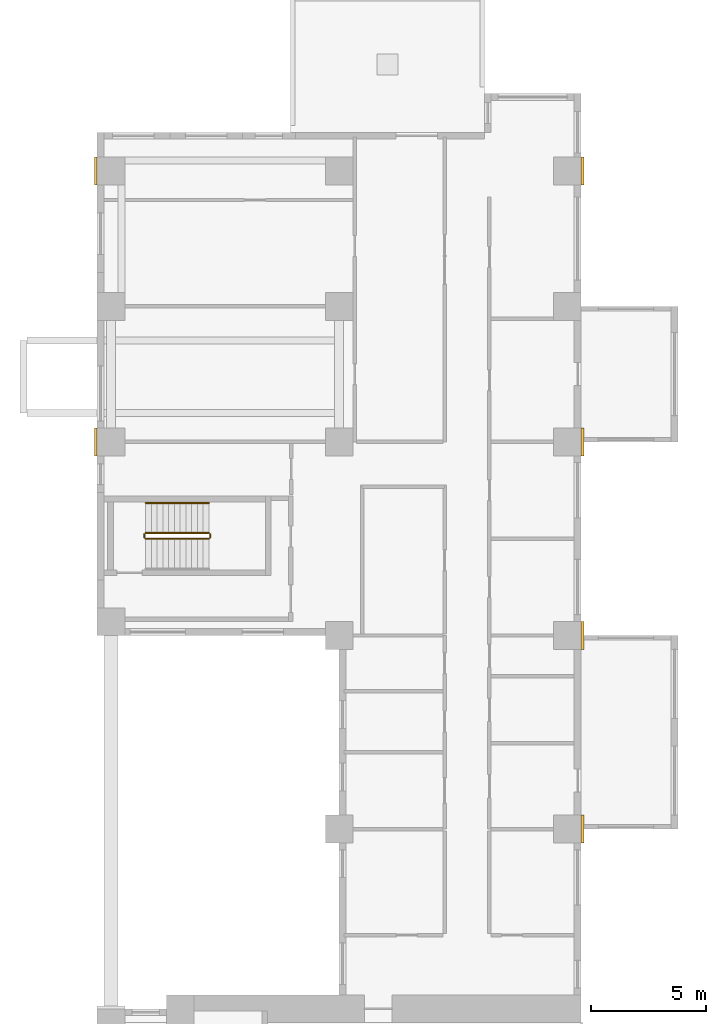
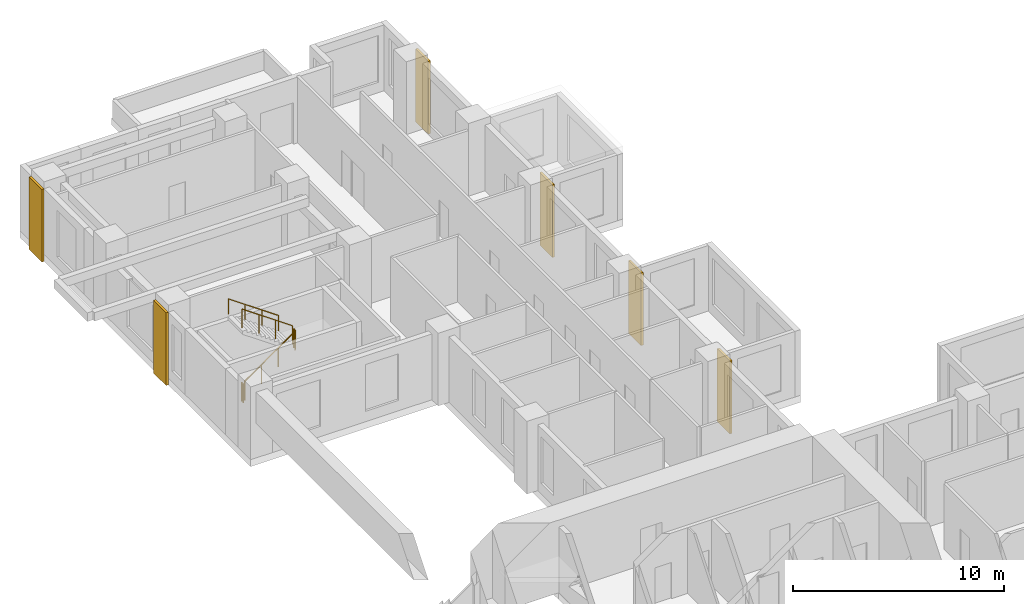
# One storey, part 14 of 14: 6 coverings, 5 railings.
"""IFC4 building model written with IfcOpenShell, lengths in metres."""

from ifc_helpers import new_model, si_unit, direction, frame, origin, origin_2d, place, context, subcontext, project, spatial, rectangle, circle, extrude, source, transform, mapped, material, type_object, element, save


model = new_model("IFC4")

# Units and contexts
model_context = context("Model", 3, precision=1e-05, world=origin(), true_north=direction((0.0, 1.0)))
body_context = subcontext(model_context, "Body", "Model", "MODEL_VIEW")
ifc_project = project(units=[si_unit("LENGTHUNIT", "METRE"), si_unit("AREAUNIT", "SQUARE_METRE"), si_unit("VOLUMEUNIT", "CUBIC_METRE"), si_unit("PLANEANGLEUNIT", "RADIAN"), si_unit("MASSUNIT", "GRAM", prefix="KILO")], contexts=[model_context])

# Site, building, storey
site_placement = place(None, origin())
site = spatial("IfcSite", under=ifc_project, at=site_placement, CompositionType="ELEMENT")
building_placement = place(site_placement, origin())
building = spatial("IfcBuilding", under=site, at=building_placement, Name="Aurelian Terraces", CompositionType="ELEMENT")
storey_placement = place(building_placement, frame((0.0, 0.0, 78.3)))
storey = spatial("IfcBuildingStorey", under=building, at=storey_placement, Name="L16", CompositionType="ELEMENT", Elevation=78.3)

# Coverings
ifc_material_1 = material(Name="Terracotta rainscreen cladding relief", Category="masonry")
covering_type = type_object("IfcCoveringType", Name="BAGUETTE-TC", PredefinedType="CLADDING", material=ifc_material_1)
shared_shape_1 = source(origin(), body_context, "Body", "SweptSolid", [
    extrude(rectangle(XDim=0.12, YDim=1.2, at=origin_2d()), origin(), (0.0, 0.0, 1.0), 4.2),
])
for number, where, z_axis, x_axis, name in (
    (1, (21.06, 29.4, -0.4), (0.0, 0.0, 1.0), (1.0, 0.0, 0.0), "BAGUETTE pier L16 10"),
    (2, (21.06, 37.8, -0.4), (0.0, 0.0, 1.0), (1.0, 0.0, 0.0), "BAGUETTE pier L16 11"),
    (3, (-0.06, 46.2, -0.4), (0.0, 0.0, 1.0), (1.0, 0.0, 0.0), "BAGUETTE pier L16 12"),
    (4, (21.06, 46.2, -0.4), (0.0, 0.0, 1.0), (1.0, 0.0, 0.0), "BAGUETTE pier L16 13"),
    (5, (-0.06, 57.96, -0.4), (0.0, 0.0, 1.0), (1.0, 0.0, 0.0), "BAGUETTE pier L16 14"),
    (6, (21.06, 57.96, -0.4), (0.0, 0.0, 1.0), (1.0, 0.0, 0.0), "BAGUETTE pier L16 15"),
):
    element("IfcCovering", number, at=place(storey_placement, frame(where, z_axis=z_axis, x_axis=x_axis)), inside=storey, type_object=covering_type, Name=name, PredefinedType="CLADDING", context=body_context, shape_type="MappedRepresentation", body=[
        mapped(shared_shape_1, transform((0.0, 0.0, 0.0), scale=1.0)),
    ])

# Railings
ifc_material_2 = material(Name="Stainless steel", Category="steel")
railing_type_1 = type_object("IfcRailingType", Name="Stair guard 1100", PredefinedType="GUARDRAIL", material=ifc_material_2)
shared_shape_2 = source(origin(), body_context, "Body", "SweptSolid", [
    extrude(circle(Radius=0.024, at=origin_2d()), frame((0.0, 0.0, 1.076), z_axis=(0.0, 1.0, 0.0), x_axis=(-1.0, 0.0, 0.0)), (0.0, 0.0, 1.0), 0.15),
    extrude(circle(Radius=0.021, at=origin_2d()), origin(), (0.0, 0.0, 1.0), 1.052),
    extrude(circle(Radius=0.021, at=origin_2d()), frame((0.0, 0.15, 0.0)), (0.0, 0.0, 1.0), 1.052),
])
for number, where, name in (
    (7, (4.9, 42.05, 2.1), "L16 S3 stair guard 2"),
    (8, (2.05, 42.05, 0.0), "L16 S3 stair guard 4"),
):
    element("IfcRailing", number, at=place(storey_placement, frame(where)), inside=storey, type_object=railing_type_1, Name=name, PredefinedType="GUARDRAIL", context=body_context, shape_type="MappedRepresentation", body=[
        mapped(shared_shape_2, transform((0.0, 0.0, 0.0), scale=1.0)),
    ])
shared_shape_3 = source(origin(), body_context, "Body", "SweptSolid", [
    extrude(circle(Radius=0.024, at=origin_2d()), frame((0.0, 0.0, 1.076), z_axis=(0.819231920519, 0.0, 0.573462344363), x_axis=(0.0, 1.0, 0.0)), (0.0, 0.0, 1.0), 3.3568),
    extrude(circle(Radius=0.021, at=origin_2d()), origin(), (0.0, 0.0, 1.0), 1.052),
    extrude(circle(Radius=0.021, at=origin_2d()), frame((0.9167, 0.0, 0.6417)), (0.0, 0.0, 1.0), 1.052),
    extrude(circle(Radius=0.021, at=origin_2d()), frame((1.8333, 0.0, 1.2833)), (0.0, 0.0, 1.0), 1.052),
    extrude(circle(Radius=0.021, at=origin_2d()), frame((2.75, 0.0, 1.925)), (0.0, 0.0, 1.0), 1.052),
])
railing_1_placement = place(storey_placement, frame((2.1, 42.0, 0.175)))
element("IfcRailing", 9, at=railing_1_placement, inside=storey, type_object=railing_type_1, Name="L16 S3 stair guard 1", PredefinedType="GUARDRAIL", context=body_context, shape_type="MappedRepresentation", body=[
    mapped(shared_shape_3, transform((0.0, 0.0, 0.0), scale=1.0)),
])
shared_shape_4 = source(origin(), body_context, "Body", "SweptSolid", [
    extrude(circle(Radius=0.024, at=origin_2d()), frame((0.0, 0.0, 1.076), z_axis=(-0.819231920519, 0.0, 0.573462344363), x_axis=(0.0, -1.0, 0.0)), (0.0, 0.0, 1.0), 3.3568),
    extrude(circle(Radius=0.021, at=origin_2d()), origin(), (0.0, 0.0, 1.0), 1.052),
    extrude(circle(Radius=0.021, at=origin_2d()), frame((-0.9167, 0.0, 0.6417)), (0.0, 0.0, 1.0), 1.052),
    extrude(circle(Radius=0.021, at=origin_2d()), frame((-1.8333, 0.0, 1.2833)), (0.0, 0.0, 1.0), 1.052),
    extrude(circle(Radius=0.021, at=origin_2d()), frame((-2.75, 0.0, 1.925)), (0.0, 0.0, 1.0), 1.052),
])
railing_2_placement = place(storey_placement, frame((4.85, 42.25, 2.275)))
element("IfcRailing", 10, at=railing_2_placement, inside=storey, type_object=railing_type_1, Name="L16 S3 stair guard 3", PredefinedType="GUARDRAIL", context=body_context, shape_type="MappedRepresentation", body=[
    mapped(shared_shape_4, transform((0.0, 0.0, 0.0), scale=1.0)),
])
railing_type_2 = type_object("IfcRailingType", Name="Stair handrail", PredefinedType="HANDRAIL", material=ifc_material_2)
shared_shape_5 = source(origin(), body_context, "Body", "SweptSolid", [
    extrude(circle(Radius=0.024, at=origin_2d()), frame((0.0, 0.0, 0.876), z_axis=(-0.819231920519, 0.0, 0.573462344363), x_axis=(0.0, -1.0, 0.0)), (0.0, 0.0, 1.0), 3.3568),
    extrude(circle(Radius=0.021, at=origin_2d()), origin(), (0.0, 0.0, 1.0), 0.852),
    extrude(circle(Radius=0.021, at=origin_2d()), frame((-0.9167, 0.0, 0.6417)), (0.0, 0.0, 1.0), 0.852),
    extrude(circle(Radius=0.021, at=origin_2d()), frame((-1.8333, 0.0, 1.2833)), (0.0, 0.0, 1.0), 0.852),
    extrude(circle(Radius=0.021, at=origin_2d()), frame((-2.75, 0.0, 1.925)), (0.0, 0.0, 1.0), 0.852),
])
railing_3_placement = place(storey_placement, frame((4.85, 43.55, 2.275)))
element("IfcRailing", 11, at=railing_3_placement, inside=storey, type_object=railing_type_2, Name="L16 S3 stair handrail 2", PredefinedType="HANDRAIL", context=body_context, shape_type="MappedRepresentation", body=[
    mapped(shared_shape_5, transform((0.0, 0.0, 0.0), scale=1.0)),
])

save(model, "model.ifc")
